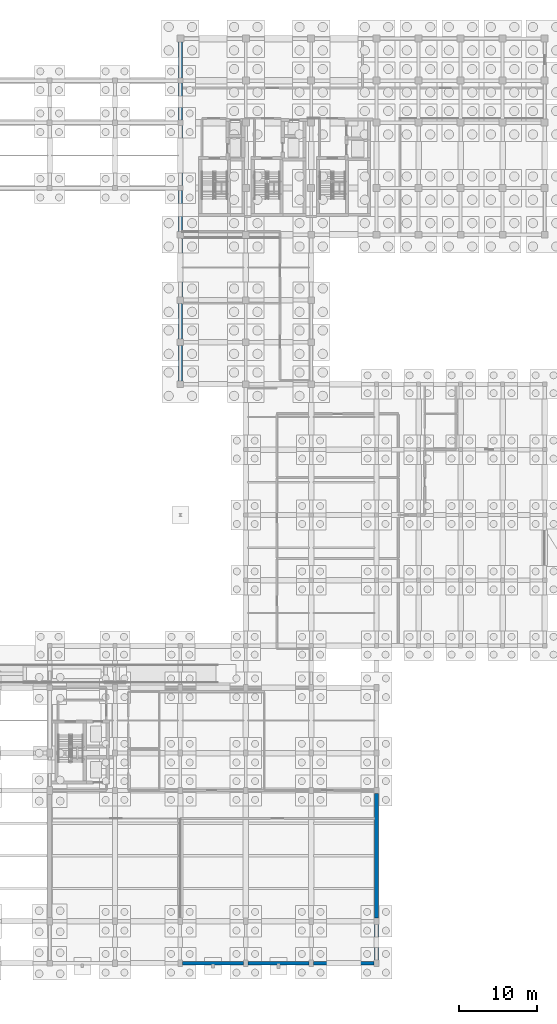
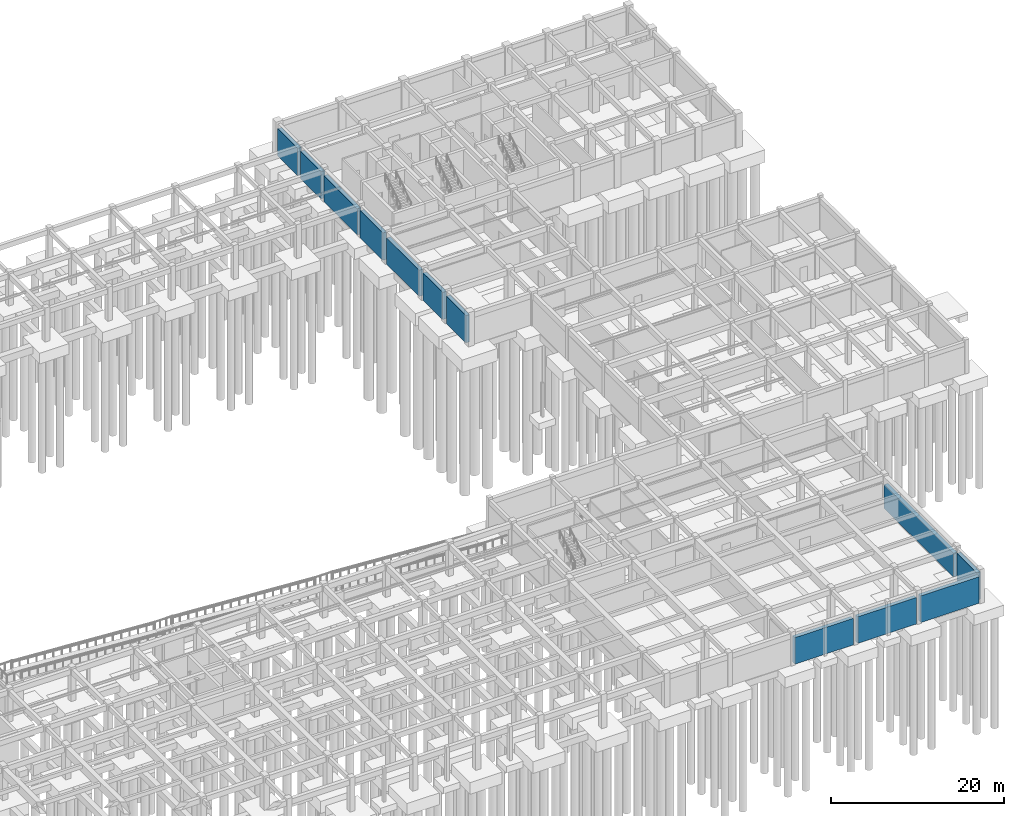
# One storey, part 38 of 49: 12 walls.
"""IFC4 building model written with IfcOpenShell, lengths in metres."""

from ifc_helpers import new_model, si_unit, direction, frame, frame_2d, origin, place, context, subcontext, project, spatial, rectangle, extrude, material, layer, layer_set, type_object, element, save


model = new_model("IFC4")

# Units and contexts
model_context = context("Model", 3, precision=1e-05, world=origin(), true_north=direction((0.0, 1.0)))
body_context = subcontext(model_context, "Body", "Model", "MODEL_VIEW")
ifc_project = project(units=[si_unit("LENGTHUNIT", "METRE"), si_unit("AREAUNIT", "SQUARE_METRE"), si_unit("VOLUMEUNIT", "CUBIC_METRE"), si_unit("PLANEANGLEUNIT", "RADIAN"), si_unit("MASSUNIT", "GRAM", prefix="KILO")], contexts=[model_context])

# Site, building, storey
site_placement = place(None, origin())
site = spatial("IfcSite", under=ifc_project, at=site_placement, CompositionType="ELEMENT")
building_placement = place(site_placement, origin())
building = spatial("IfcBuilding", under=site, at=building_placement, Name="Krzemoval Escarpment Law Courts", CompositionType="ELEMENT")
storey_placement = place(building_placement, frame((0.0, 0.0, -4.800048828125)))
storey = spatial("IfcBuildingStorey", under=building, at=storey_placement, Name="B1", CompositionType="ELEMENT", Elevation=-4.800048828125)

# Walls
ifc_material = material(Name="Concrete C35/45", Category="concrete")
ifc_layer = layer(ifc_material, 0.5)
ifc_layer_set = layer_set([ifc_layer], Name="Concrete C35/45")
wall_type = type_object("IfcWallType", Name="WL-RET-500", PredefinedType="USERDEFINED", material=ifc_layer_set)
wall_1_placement = place(storey_placement, frame((150.89990234375, 0.0, 0.0), z_axis=(0.0, 0.0, 1.0), x_axis=(-1.0, 0.0, 0.0)))
element("IfcWall", 1, at=wall_1_placement, inside=storey, type_object=wall_type, Name="Exterior Wall EW-B1-0001", ObjectType="RETAININGWALL", PredefinedType="USERDEFINED", context=body_context, shape_type="SweptSolid", body=[
    extrude(rectangle(XDim=7.7998046875, YDim=0.5, at=frame_2d((3.89990234375, 0.0))), origin(), (0.0, 0.0, 1.0), 3.75),
])
for number, where, z_axis, x_axis, name in (
    (2, (142.5, 0.0, 0.0), (0.0, 0.0, 1.0), (-1.0, 0.0, 0.0), "Exterior Wall EW-B1-0002"),
    (3, (134.10009765625, 0.0, 0.0), (0.0, 0.0, 1.0), (-1.0, 0.0, 0.0), "Exterior Wall EW-B1-0003"),
):
    element("IfcWall", number, at=place(storey_placement, frame(where, z_axis=z_axis, x_axis=x_axis)), inside=storey, type_object=wall_type, Name=name, ObjectType="RETAININGWALL", PredefinedType="USERDEFINED", context=body_context, shape_type="SweptSolid", body=[
        extrude(rectangle(XDim=7.800048828125, YDim=0.5, at=frame_2d((3.89990234375, 0.0))), origin(), (0.0, 0.0, 1.0), 3.75),
    ])
wall_2_placement = place(storey_placement, frame((126.0, 74.824951171875, 0.0), z_axis=(0.0, 0.0, 1.0), x_axis=(0.0, 1.0, 0.0)))
element("IfcWall", 4, at=wall_2_placement, inside=storey, type_object=wall_type, Name="Exterior Wall EW-B1-0019", ObjectType="RETAININGWALL", PredefinedType="USERDEFINED", context=body_context, shape_type="SweptSolid", body=[
    extrude(rectangle(XDim=4.550048828125, YDim=0.5, at=frame_2d((2.27490234375, 0.0))), origin(), (0.0, 0.0, 1.0), 3.85009765625),
])
wall_3_placement = place(storey_placement, frame((126.0, 80.22509765625, 0.0), z_axis=(0.0, 0.0, 1.0), x_axis=(0.0, 1.0, 0.0)))
element("IfcWall", 5, at=wall_3_placement, inside=storey, type_object=wall_type, Name="Exterior Wall EW-B1-0020", ObjectType="RETAININGWALL", PredefinedType="USERDEFINED", context=body_context, shape_type="SweptSolid", body=[
    extrude(rectangle(XDim=4.5498046875, YDim=0.5, at=frame_2d((2.27490234375, 0.0))), origin(), (0.0, 0.0, 1.0), 3.85009765625),
])
wall_4_placement = place(storey_placement, frame((126.0, 85.625, 0.0), z_axis=(0.0, 0.0, 1.0), x_axis=(0.0, 1.0, 0.0)))
element("IfcWall", 6, at=wall_4_placement, inside=storey, type_object=wall_type, Name="Exterior Wall EW-B1-0021", ObjectType="RETAININGWALL", PredefinedType="USERDEFINED", context=body_context, shape_type="SweptSolid", body=[
    extrude(rectangle(XDim=7.550048828125, YDim=0.5, at=frame_2d((3.77490234375, 0.0))), origin(), (0.0, 0.0, 1.0), 3.699951171875),
])
wall_5_placement = place(storey_placement, frame((126.0, 94.02490234375, 0.0), z_axis=(0.0, 0.0, 1.0), x_axis=(0.0, 1.0, 0.0)))
element("IfcWall", 7, at=wall_5_placement, inside=storey, type_object=wall_type, Name="Exterior Wall EW-B1-0022", ObjectType="RETAININGWALL", PredefinedType="USERDEFINED", context=body_context, shape_type="SweptSolid", body=[
    extrude(rectangle(XDim=5.25, YDim=0.5, at=frame_2d((2.625, 0.0))), origin(), (0.0, 0.0, 1.0), 3.85009765625),
])
wall_6_placement = place(storey_placement, frame((126.0, 99.925048828125, 0.0), z_axis=(0.0, 0.0, 1.0), x_axis=(0.0, 1.0, 0.0)))
element("IfcWall", 8, at=wall_6_placement, inside=storey, type_object=wall_type, Name="Exterior Wall EW-B1-0023", ObjectType="RETAININGWALL", PredefinedType="USERDEFINED", context=body_context, shape_type="SweptSolid", body=[
    extrude(rectangle(XDim=7.75, YDim=0.5, at=frame_2d((3.875, 0.0))), origin(), (0.0, 0.0, 1.0), 3.699951171875),
])
wall_7_placement = place(storey_placement, frame((126.0, 108.324951171875, 0.0), z_axis=(0.0, 0.0, 1.0), x_axis=(0.0, 1.0, 0.0)))
element("IfcWall", 9, at=wall_7_placement, inside=storey, type_object=wall_type, Name="Exterior Wall EW-B1-0024", ObjectType="RETAININGWALL", PredefinedType="USERDEFINED", context=body_context, shape_type="SweptSolid", body=[
    extrude(rectangle(XDim=4.75, YDim=0.5, at=frame_2d((2.375, 0.0))), origin(), (0.0, 0.0, 1.0), 3.85009765625),
])
wall_8_placement = place(storey_placement, frame((126.0, 113.72509765625, 0.0), z_axis=(0.0, 0.0, 1.0), x_axis=(0.0, 1.0, 0.0)))
element("IfcWall", 10, at=wall_8_placement, inside=storey, type_object=wall_type, Name="Exterior Wall EW-B1-0025", ObjectType="RETAININGWALL", PredefinedType="USERDEFINED", context=body_context, shape_type="SweptSolid", body=[
    extrude(rectangle(XDim=4.625, YDim=0.5, at=frame_2d((2.3125, 0.0))), origin(), (0.0, 0.0, 1.0), 3.85009765625),
])
wall_9_placement = place(storey_placement, frame((151.199951171875, 21.800048828125, 0.0), z_axis=(0.0, 0.0, 1.0), x_axis=(0.0, -1.0, 0.0)))
element("IfcWall", 11, at=wall_9_placement, inside=storey, type_object=wall_type, Name="Exterior Wall EW-B1-0063", ObjectType="RETAININGWALL", PredefinedType="USERDEFINED", context=body_context, shape_type="SweptSolid", body=[
    extrude(rectangle(XDim=16.0, YDim=0.5, at=frame_2d((8.0, 0.0))), origin(), (0.0, 0.0, 1.0), 3.35009765625),
])
wall_10_placement = place(storey_placement, frame((151.199951171875, 5.0, 0.0), z_axis=(0.0, 0.0, 1.0), x_axis=(0.0, -1.0, 0.0)))
element("IfcWall", 12, at=wall_10_placement, inside=storey, type_object=wall_type, Name="Exterior Wall EW-B1-0064", ObjectType="RETAININGWALL", PredefinedType="USERDEFINED", context=body_context, shape_type="SweptSolid", body=[
    extrude(rectangle(XDim=4.60009765625, YDim=0.5, at=frame_2d((2.300048828125, 0.0))), origin(), (0.0, 0.0, 1.0), 3.85009765625),
])

save(model, "model.ifc")
